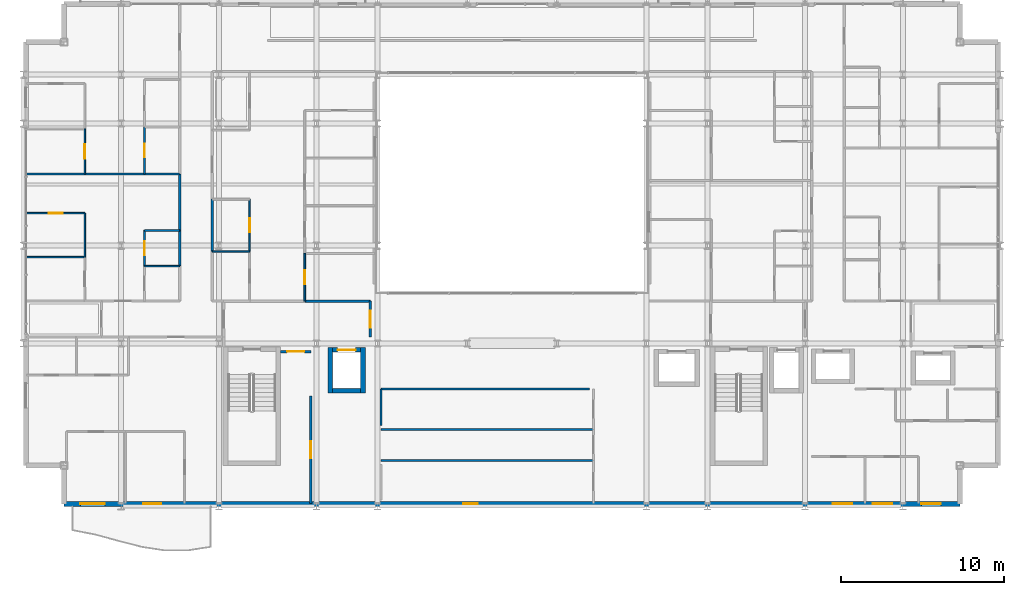
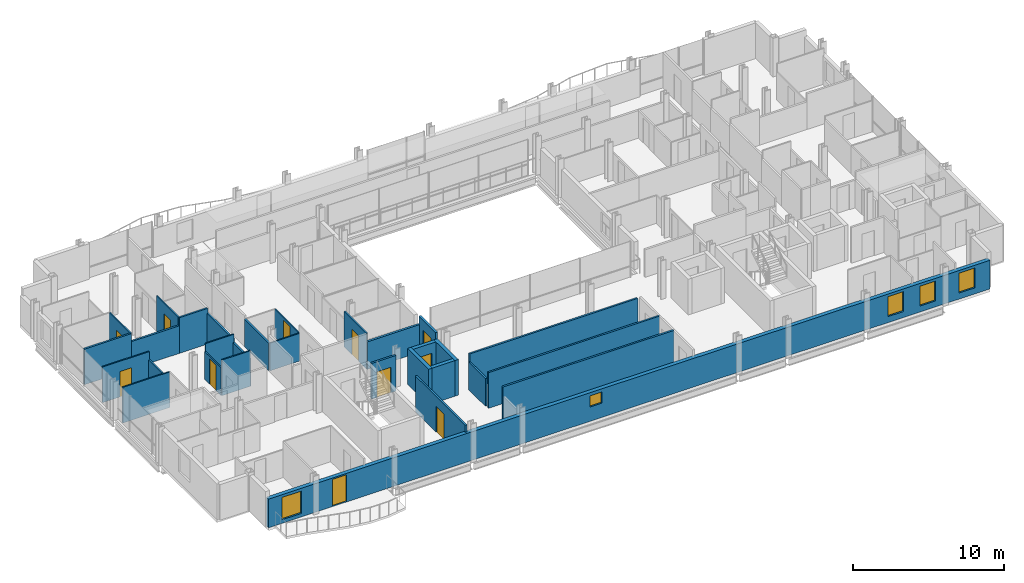
# One storey, part 32 of 40: 30 walls, 11 doors, 5 windows, 16 openings.
"""IFC4 building model written with IfcOpenShell, lengths in metres."""

from ifc_helpers import new_model, si_unit, direction, frame, frame_2d, origin, place, context, subcontext, project, spatial, rectangle, extrude, material, layer, layer_set, type_object, element, fill, save


model = new_model("IFC4")

# Units and contexts
model_context = context("Model", 3, precision=1e-05, world=origin(), true_north=direction((0.0, 1.0)))
body_context = subcontext(model_context, "Body", "Model", "MODEL_VIEW")
ifc_project = project(units=[si_unit("LENGTHUNIT", "METRE"), si_unit("AREAUNIT", "SQUARE_METRE"), si_unit("VOLUMEUNIT", "CUBIC_METRE"), si_unit("PLANEANGLEUNIT", "RADIAN"), si_unit("MASSUNIT", "GRAM", prefix="KILO")], contexts=[model_context])

# Site, building, storey
site_placement = place(None, origin())
site = spatial("IfcSite", under=ifc_project, at=site_placement, CompositionType="ELEMENT")
building_placement = place(site_placement, origin())
building = spatial("IfcBuilding", under=site, at=building_placement, Name="Brevholm Reach", CompositionType="ELEMENT")
storey_placement = place(building_placement, frame((0.0, 0.0, 62.10009765625)))
storey = spatial("IfcBuildingStorey", under=building, at=storey_placement, Name="L17", CompositionType="ELEMENT", Elevation=62.10009765625)

# Walls
ifc_material_1 = material(Name="Concrete C50/60", Category="concrete")
ifc_layer_1 = layer(ifc_material_1, 0.280029296875)
ifc_layer_set_1 = layer_set([ifc_layer_1], Name="Concrete C50/60")
wall_type_1 = type_object("IfcWallType", Name="WAL-COR-280", PredefinedType="SHEAR", material=ifc_layer_set_1)
for number, where, z_axis, x_axis, name in (
    (1, (18.85009765625, 6.9599609375, 0.0), (0.0, 0.0, 1.0), (0.0, 1.0, 0.0), "L17 Lift FFL-1 Shaft Wall W"),
    (2, (20.85009765625, 6.9599609375, 0.0), (0.0, 0.0, 1.0), (0.0, 1.0, 0.0), "L17 Lift FFL-1 Shaft Wall E"),
):
    element("IfcWall", number, at=place(storey_placement, frame(where, z_axis=z_axis, x_axis=x_axis)), inside=storey, type_object=wall_type_1, Name=name, PredefinedType="SHEAR", context=body_context, shape_type="SweptSolid", body=[
        extrude(rectangle(XDim=2.780029296875, YDim=0.280029296875, at=frame_2d((1.39013671875, 0.0))), origin(), (0.0, 0.0, 1.0), 2.869873046875),
    ])
wall_1_placement = place(storey_placement, frame((18.989990234375, 7.10009765625, 0.0), z_axis=(0.0, 0.0, 1.0), x_axis=(1.0, 0.0, 0.0)))
element("IfcWall", 3, at=wall_1_placement, inside=storey, type_object=wall_type_1, Name="L17 Lift FFL-1 Shaft Wall S", PredefinedType="SHEAR", context=body_context, shape_type="SweptSolid", body=[
    extrude(rectangle(XDim=1.719970703125, YDim=0.280029296875, at=frame_2d((0.85986328125, 0.0))), origin(), (0.0, 0.0, 1.0), 2.869873046875),
])

# Wall, opening, door
wall_2_placement = place(storey_placement, frame((18.989990234375, 9.60009765625, 0.0), z_axis=(0.0, 0.0, 1.0), x_axis=(1.0, 0.0, 0.0)))
wall_2 = element("IfcWall", 4, at=wall_2_placement, inside=storey, type_object=wall_type_1, Name="L17 Lift FFL-1 Shaft Wall N", PredefinedType="SHEAR", context=body_context, shape_type="SweptSolid", body=[
    extrude(rectangle(XDim=1.719970703125, YDim=0.280029296875, at=frame_2d((0.85986328125, 0.0))), origin(), (0.0, 0.0, 1.0), 2.869873046875),
])
opening_1_placement = place(wall_2_placement, frame((0.31005859375, 0.0, 0.0)))
opening_1 = element("IfcOpeningElement", 5, at=opening_1_placement, cuts=wall_2, Name="Opening LD-FFL-1", PredefinedType="OPENING", context=body_context, shape_type="SweptSolid", body=[
    extrude(rectangle(XDim=1.10009765625, YDim=2.06005859375, at=frame_2d((0.550048828125, 1.030029296875))), frame((0.0, 0.14990234375, 0.0), z_axis=(0.0, -1.0, 0.0), x_axis=(1.0, 0.0, 0.0)), (0.0, 0.0, 1.0), 0.300048828125),
])
ifc_material_2 = material(Name="Brushed Stainless Steel Fire-Rated Sliding Lift Door", Category="steel")
door_type_1 = type_object("IfcDoorType", Name="DOR-LFT-1100", OperationType="NOTDEFINED", PredefinedType="DOOR", material=ifc_material_2)
door_1_placement = place(opening_1_placement, origin())
door_1 = element("IfcDoor", 6, at=door_1_placement, inside=storey, type_object=door_type_1, Name="L17 Lift FFL-1 Sliding Landing Door", OperationType="SLIDING_TO_LEFT", OverallHeight=2.06005859375, OverallWidth=1.10009765625, PredefinedType="DOOR", context=body_context, shape_type="SweptSolid", body=[
    extrude(rectangle(XDim=1.10009765625, YDim=2.06005859375, at=frame_2d((0.550048828125, 1.030029296875))), frame((0.0, 0.02490234375, 0.0), z_axis=(0.0, -1.0, 0.0), x_axis=(1.0, 0.0, 0.0)), (0.0, 0.0, 1.0), 0.050048828125),
])
fill(opening_1, door_1)

# Wall, openings, door, windows
ifc_material_3 = material(Name="Concrete C40/50", Category="concrete")
ifc_layer_2 = layer(ifc_material_3, 0.300048828125)
ifc_layer_set_2 = layer_set([ifc_layer_2], Name="Concrete C40/50")
wall_type_2 = type_object("IfcWallType", Name="WAL-EXT-300", PredefinedType="STANDARD", material=ifc_layer_set_2)
wall_3_placement = place(storey_placement, frame((2.5, 0.14990234375, 0.0), z_axis=(0.0, 0.0, 1.0), x_axis=(1.0, 0.0, 0.0)))
wall_3 = element("IfcWall", 7, at=wall_3_placement, inside=storey, type_object=wall_type_2, Name="L17 Facade Wall WAL-L17-S", PredefinedType="STANDARD", context=body_context, shape_type="SweptSolid", body=[
    extrude(rectangle(XDim=55.0, YDim=0.300048828125, at=frame_2d((27.5, 0.0))), origin(), (0.0, 0.0, 1.0), 2.305419921875),
])
opening_2_placement = place(wall_3_placement, frame((4.85009765625, 0.0, 0.0)))
opening_2 = element("IfcOpeningElement", 8, at=opening_2_placement, cuts=wall_3, Name="Opening BD-01", PredefinedType="OPENING", context=body_context, shape_type="SweptSolid", body=[
    extrude(rectangle(XDim=1.10009765625, YDim=2.199951171875, at=frame_2d((0.550048828125, 1.10009765625))), frame((0.0, 0.159912109375, 0.0), z_axis=(0.0, -1.0, 0.0), x_axis=(1.0, 0.0, 0.0)), (0.0, 0.0, 1.0), 0.320068359375),
])
opening_3_placement = place(wall_3_placement, frame((1.0, 0.0, 0.285888671875)))
opening_3 = element("IfcOpeningElement", 9, at=opening_3_placement, cuts=wall_3, Name="Opening WN-05", PredefinedType="OPENING", context=body_context, shape_type="SweptSolid", body=[
    extrude(rectangle(XDim=1.5, YDim=1.800048828125, at=frame_2d((0.75, 0.89990234375))), frame((0.0, 0.159912109375, 0.0), z_axis=(0.0, -1.0, 0.0), x_axis=(1.0, 0.0, 0.0)), (0.0, 0.0, 1.0), 0.320068359375),
])
opening_4_placement = place(wall_3_placement, frame((24.5, 0.0, 1.14990234375)))
opening_4 = element("IfcOpeningElement", 10, at=opening_4_placement, cuts=wall_3, Name="Opening WN-09", PredefinedType="OPENING", context=body_context, shape_type="SweptSolid", body=[
    extrude(rectangle(XDim=0.89990234375, YDim=0.89990234375, at=frame_2d((0.449951171875, 0.449951171875))), frame((0.0, 0.159912109375, 0.0), z_axis=(0.0, -1.0, 0.0), x_axis=(1.0, 0.0, 0.0)), (0.0, 0.0, 1.0), 0.320068359375),
])
opening_5_placement = place(wall_3_placement, frame((47.199951171875, 0.0, 0.486083984375)))
opening_5 = element("IfcOpeningElement", 11, at=opening_5_placement, cuts=wall_3, Name="Opening WN-08", PredefinedType="OPENING", context=body_context, shape_type="SweptSolid", body=[
    extrude(rectangle(XDim=1.199951171875, YDim=1.60009765625, at=frame_2d((0.60009765625, 0.800048828125))), frame((0.0, 0.159912109375, 0.0), z_axis=(0.0, -1.0, 0.0), x_axis=(1.0, 0.0, 0.0)), (0.0, 0.0, 1.0), 0.320068359375),
])
opening_6_placement = place(wall_3_placement, frame((52.6298828125, 0.0, 0.486083984375)))
opening_6 = element("IfcOpeningElement", 12, at=opening_6_placement, cuts=wall_3, Name="Opening WN-08", PredefinedType="OPENING", context=body_context, shape_type="SweptSolid", body=[
    extrude(rectangle(XDim=1.199951171875, YDim=1.60009765625, at=frame_2d((0.60009765625, 0.800048828125))), frame((0.0, 0.159912109375, 0.0), z_axis=(0.0, -1.0, 0.0), x_axis=(1.0, 0.0, 0.0)), (0.0, 0.0, 1.0), 0.320068359375),
])
opening_7_placement = place(wall_3_placement, frame((49.638671875, 0.0, 0.485595703125)))
opening_7 = element("IfcOpeningElement", 13, at=opening_7_placement, cuts=wall_3, Name="Opening WN-08", PredefinedType="OPENING", context=body_context, shape_type="SweptSolid", body=[
    extrude(rectangle(XDim=1.199951171875, YDim=1.60009765625, at=frame_2d((0.60009765625, 0.800048828125))), frame((0.0, 0.159912109375, 0.0), z_axis=(0.0, -1.0, 0.0), x_axis=(1.0, 0.0, 0.0)), (0.0, 0.0, 1.0), 0.320068359375),
])
ifc_material_4 = material(Name="Dark Anodised Aluminium and Triple-Glazed Glass", Category="aluminium")
door_type_2 = type_object("IfcDoorType", Name="DOR-BALC-1100", OperationType="NOTDEFINED", PredefinedType="DOOR", material=ifc_material_4)
door_2_placement = place(opening_2_placement, origin())
door_2 = element("IfcDoor", 14, at=door_2_placement, inside=storey, type_object=door_type_2, Name="L17 Exterior Door DOR-L17-BL-SW", OperationType="SINGLE_SWING_LEFT", OverallHeight=2.199951171875, OverallWidth=1.10009765625, PredefinedType="DOOR", context=body_context, shape_type="SweptSolid", body=[
    extrude(rectangle(XDim=1.10009765625, YDim=2.199951171875, at=frame_2d((0.550048828125, 1.10009765625))), frame((0.0, 0.02490234375, 0.0), z_axis=(0.0, -1.0, 0.0), x_axis=(1.0, 0.0, 0.0)), (0.0, 0.0, 1.0), 0.050048828125),
])
fill(opening_2, door_2)
ifc_material_5 = material(Name="Dark Anodised Aluminium and Solar-Control IGU Glass", Category="aluminium")
window_type_1 = type_object("IfcWindowType", Name="WIN-POR-0900", PartitioningType="SINGLE_PANEL", PredefinedType="WINDOW", material=ifc_material_5)
window_1_placement = place(opening_4_placement, origin())
window_1 = element("IfcWindow", 15, at=window_1_placement, inside=storey, type_object=window_type_1, Name="L17 Window WIN-L17-S-POR", OverallHeight=0.89990234375, OverallWidth=0.89990234375, PartitioningType="SINGLE_PANEL", PredefinedType="WINDOW", context=body_context, shape_type="SweptSolid", body=[
    extrude(rectangle(XDim=0.89990234375, YDim=0.89990234375, at=frame_2d((0.449951171875, 0.449951171875))), frame((0.0, 0.030029296875, 0.0), z_axis=(0.0, -1.0, 0.0), x_axis=(1.0, 0.0, 0.0)), (0.0, 0.0, 1.0), 0.06005859375),
])
fill(opening_4, window_1)
ifc_material_6 = material(Name="Dark Anodised Aluminium and Solar-Control IGU Glass", Category="aluminium")
window_type_2 = type_object("IfcWindowType", Name="WIN-RES-1200", PartitioningType="SINGLE_PANEL", PredefinedType="WINDOW", material=ifc_material_6)
window_2_placement = place(opening_5_placement, origin())
window_2 = element("IfcWindow", 16, at=window_2_placement, inside=storey, type_object=window_type_2, Name="L17 Window WIN-L17-S-E1", OverallHeight=1.60009765625, OverallWidth=1.199951171875, PartitioningType="SINGLE_PANEL", PredefinedType="WINDOW", context=body_context, shape_type="SweptSolid", body=[
    extrude(rectangle(XDim=1.199951171875, YDim=1.60009765625, at=frame_2d((0.60009765625, 0.800048828125))), frame((0.0, 0.030029296875, 0.0), z_axis=(0.0, -1.0, 0.0), x_axis=(1.0, 0.0, 0.0)), (0.0, 0.0, 1.0), 0.06005859375),
])
fill(opening_5, window_2)
window_3_placement = place(opening_6_placement, origin())
window_3 = element("IfcWindow", 17, at=window_3_placement, inside=storey, type_object=window_type_2, Name="L17 Window WIN-L17-S-E2", OverallHeight=1.60009765625, OverallWidth=1.199951171875, PartitioningType="SINGLE_PANEL", PredefinedType="WINDOW", context=body_context, shape_type="SweptSolid", body=[
    extrude(rectangle(XDim=1.199951171875, YDim=1.60009765625, at=frame_2d((0.60009765625, 0.800048828125))), frame((0.0, 0.030029296875, 0.0), z_axis=(0.0, -1.0, 0.0), x_axis=(1.0, 0.0, 0.0)), (0.0, 0.0, 1.0), 0.06005859375),
])
fill(opening_6, window_3)
window_4_placement = place(opening_7_placement, origin())
window_4 = element("IfcWindow", 18, at=window_4_placement, inside=storey, type_object=window_type_2, Name="L17 Bedroom Window 013", OverallHeight=1.60009765625, OverallWidth=1.199951171875, PartitioningType="SINGLE_PANEL", PredefinedType="WINDOW", context=body_context, shape_type="SweptSolid", body=[
    extrude(rectangle(XDim=1.199951171875, YDim=1.60009765625, at=frame_2d((0.60009765625, 0.800048828125))), frame((0.0, 0.030029296875, 0.0), z_axis=(0.0, -1.0, 0.0), x_axis=(1.0, 0.0, 0.0)), (0.0, 0.0, 1.0), 0.06005859375),
])
fill(opening_7, window_4)
ifc_material_7 = material(Name="Dark Anodised Aluminium and Solar-Control IGU Glass", Category="aluminium")
window_type_3 = type_object("IfcWindowType", Name="WIN-RES-1500", PartitioningType="SINGLE_PANEL", PredefinedType="WINDOW", material=ifc_material_7)
window_5_placement = place(opening_3_placement, origin())
window_5 = element("IfcWindow", 19, at=window_5_placement, inside=storey, type_object=window_type_3, Name="L17 Window WIN-L17-S-W1", OverallHeight=1.800048828125, OverallWidth=1.5, PartitioningType="SINGLE_PANEL", PredefinedType="WINDOW", context=body_context, shape_type="SweptSolid", body=[
    extrude(rectangle(XDim=1.5, YDim=1.800048828125, at=frame_2d((0.75, 0.89990234375))), frame((0.0, 0.030029296875, 0.0), z_axis=(0.0, -1.0, 0.0), x_axis=(1.0, 0.0, 0.0)), (0.0, 0.0, 1.0), 0.06005859375),
])
fill(opening_3, window_5)

# Walls
ifc_material_8 = material(Name="Moisture-Resistant Acoustic Gypsum Stud Partition 100 mm", Category="gypsum")
ifc_layer_3 = layer(ifc_material_8, 0.10009765625)
ifc_layer_set_3 = layer_set([ifc_layer_3], Name="Moisture-Resistant Acoustic Gypsum Stud Partition 100 mm")
wall_type_3 = type_object("IfcWallType", Name="WAL-PRT-100", PredefinedType="PARTITIONING", material=ifc_layer_set_3)
for number, where, z_axis, x_axis, name in (
    (20, (7.43798828125, 14.75, 0.0), (0.0, 0.0, 1.0), (1.0, 0.0, 0.0), "L17 Internal Partition 084"),
    (21, (7.43798828125, 16.93408203125, 0.0), (0.0, 0.0, 1.0), (1.0, 0.0, 0.0), "L17 Internal Partition 086"),
):
    element("IfcWall", number, at=place(storey_placement, frame(where, z_axis=z_axis, x_axis=x_axis)), inside=storey, type_object=wall_type_3, Name=name, PredefinedType="PARTITIONING", context=body_context, shape_type="SweptSolid", body=[
        extrude(rectangle(XDim=2.157958984375, YDim=0.10009765625, at=frame_2d((1.0791015625, 0.0))), origin(), (0.0, 0.0, 1.0), 2.869873046875),
    ])

# Wall, opening, door
wall_4_placement = place(storey_placement, frame((7.43798828125, 14.75390625, 0.0), z_axis=(0.0, 0.0, 1.0), x_axis=(0.0, 1.0, 0.0)))
wall_4 = element("IfcWall", 22, at=wall_4_placement, inside=storey, type_object=wall_type_3, Name="L17 Internal Partition 087", PredefinedType="PARTITIONING", context=body_context, shape_type="SweptSolid", body=[
    extrude(rectangle(XDim=2.18017578125, YDim=0.10009765625, at=frame_2d((1.090087890625, 0.0))), origin(), (0.0, 0.0, 1.0), 2.224609375),
])
opening_8_placement = place(wall_4_placement, frame((0.64990234375, 0.0, 0.0)))
opening_8 = element("IfcOpeningElement", 23, at=opening_8_placement, cuts=wall_4, Name="Opening ID-01", PredefinedType="OPENING", context=body_context, shape_type="SweptSolid", body=[
    extrude(rectangle(XDim=0.8798828125, YDim=2.0400390625, at=frame_2d((0.43994140625, 1.02001953125))), frame((0.0, 0.06005859375, 0.0), z_axis=(0.0, -1.0, 0.0), x_axis=(1.0, 0.0, 0.0)), (0.0, 0.0, 1.0), 0.1201171875),
])
ifc_material_9 = material(Name="Lacquered Ash Solid-Core Acoustic Internal Door", Category="timber")
door_type_3 = type_object("IfcDoorType", Name="DOR-INT-880", OperationType="NOTDEFINED", PredefinedType="DOOR", material=ifc_material_9)
door_3_placement = place(opening_8_placement, origin())
door_3 = element("IfcDoor", 24, at=door_3_placement, inside=storey, type_object=door_type_3, Name="L17 Internal Door 031", OperationType="SINGLE_SWING_LEFT", OverallHeight=2.0400390625, OverallWidth=0.8798828125, PredefinedType="DOOR", context=body_context, shape_type="SweptSolid", body=[
    extrude(rectangle(XDim=0.8798828125, YDim=2.0400390625, at=frame_2d((0.43994140625, 1.02001953125))), frame((0.0, 0.02490234375, 0.0), z_axis=(0.0, -1.0, 0.0), x_axis=(1.0, 0.0, 0.0)), (0.0, 0.0, 1.0), 0.050048828125),
])
fill(opening_8, door_3)

# Walls
wall_5_placement = place(storey_placement, frame((0.199951171875, 15.300048828125, 0.0), z_axis=(0.0, 0.0, 1.0), x_axis=(1.0, 0.0, 0.0)))
element("IfcWall", 25, at=wall_5_placement, inside=storey, type_object=wall_type_3, Name="L17 Internal Partition 088", PredefinedType="PARTITIONING", context=body_context, shape_type="SweptSolid", body=[
    extrude(rectangle(XDim=3.572021484375, YDim=0.10009765625, at=frame_2d((1.7861328125, 0.0))), origin(), (0.0, 0.0, 1.0), 2.869873046875),
])
wall_6_placement = place(storey_placement, frame((3.77197265625, 15.303955078125, 0.0), z_axis=(0.0, 0.0, 1.0), x_axis=(0.0, 1.0, 0.0)))
element("IfcWall", 26, at=wall_6_placement, inside=storey, type_object=wall_type_3, Name="L17 Internal Partition 090", PredefinedType="PARTITIONING", context=body_context, shape_type="SweptSolid", body=[
    extrude(rectangle(XDim=2.696044921875, YDim=0.10009765625, at=frame_2d((1.34814453125, 0.0))), origin(), (0.0, 0.0, 1.0), 2.224609375),
])

# Wall, opening, door
wall_7_placement = place(storey_placement, frame((0.199951171875, 18.0, 0.0), z_axis=(0.0, 0.0, 1.0), x_axis=(1.0, 0.0, 0.0)))
wall_7 = element("IfcWall", 27, at=wall_7_placement, inside=storey, type_object=wall_type_3, Name="L17 Internal Partition 091", PredefinedType="PARTITIONING", context=body_context, shape_type="SweptSolid", body=[
    extrude(rectangle(XDim=3.572021484375, YDim=0.10009765625, at=frame_2d((1.7861328125, 0.0))), origin(), (0.0, 0.0, 1.0), 2.869873046875),
])
opening_9_placement = place(wall_7_placement, frame((1.345947265625, 0.0, 0.0)))
opening_9 = element("IfcOpeningElement", 28, at=opening_9_placement, cuts=wall_7, Name="Opening ID-01", PredefinedType="OPENING", context=body_context, shape_type="SweptSolid", body=[
    extrude(rectangle(XDim=0.8798828125, YDim=2.0400390625, at=frame_2d((0.43994140625, 1.02001953125))), frame((0.0, 0.06005859375, 0.0), z_axis=(0.0, -1.0, 0.0), x_axis=(1.0, 0.0, 0.0)), (0.0, 0.0, 1.0), 0.1201171875),
])
door_4_placement = place(opening_9_placement, origin())
door_4 = element("IfcDoor", 29, at=door_4_placement, inside=storey, type_object=door_type_3, Name="L17 Internal Door 033", OperationType="SINGLE_SWING_LEFT", OverallHeight=2.0400390625, OverallWidth=0.8798828125, PredefinedType="DOOR", context=body_context, shape_type="SweptSolid", body=[
    extrude(rectangle(XDim=0.8798828125, YDim=2.0400390625, at=frame_2d((0.43994140625, 1.02001953125))), frame((0.0, 0.02490234375, 0.0), z_axis=(0.0, -1.0, 0.0), x_axis=(1.0, 0.0, 0.0)), (0.0, 0.0, 1.0), 0.050048828125),
])
fill(opening_9, door_4)

wall_8_placement = place(storey_placement, frame((7.43798828125, 20.404052734375, 0.0), z_axis=(0.0, 0.0, 1.0), x_axis=(0.0, 1.0, 0.0)))
wall_8 = element("IfcWall", 30, at=wall_8_placement, inside=storey, type_object=wall_type_3, Name="L17 Internal Partition 096", PredefinedType="PARTITIONING", context=body_context, shape_type="SweptSolid", body=[
    extrude(rectangle(XDim=2.884033203125, YDim=0.10009765625, at=frame_2d((1.44189453125, 0.0))), origin(), (0.0, 0.0, 1.0), 2.869873046875),
])
opening_10_placement = place(wall_8_placement, frame((1.031982421875, 0.0, 0.0)))
opening_10 = element("IfcOpeningElement", 31, at=opening_10_placement, cuts=wall_8, Name="Opening ID-03", PredefinedType="OPENING", context=body_context, shape_type="SweptSolid", body=[
    extrude(rectangle(XDim=0.820068359375, YDim=2.02001953125, at=frame_2d((0.41015625, 1.010009765625))), frame((0.0, 0.06005859375, 0.0), z_axis=(0.0, -1.0, 0.0), x_axis=(1.0, 0.0, 0.0)), (0.0, 0.0, 1.0), 0.1201171875),
])
ifc_material_10 = material(Name="Moisture-Resistant Painted Timber Internal Bathroom Door", Category="wood")
door_type_4 = type_object("IfcDoorType", Name="DOR-BATH-820", OperationType="NOTDEFINED", PredefinedType="DOOR", material=ifc_material_10)
door_5_placement = place(opening_10_placement, origin())
door_5 = element("IfcDoor", 32, at=door_5_placement, inside=storey, type_object=door_type_4, Name="L17 Internal Door 034", OperationType="SINGLE_SWING_RIGHT", OverallHeight=2.02001953125, OverallWidth=0.820068359375, PredefinedType="DOOR", context=body_context, shape_type="SweptSolid", body=[
    extrude(rectangle(XDim=0.820068359375, YDim=2.02001953125, at=frame_2d((0.41015625, 1.010009765625))), frame((0.0, 0.02490234375, 0.0), z_axis=(0.0, -1.0, 0.0), x_axis=(1.0, 0.0, 0.0)), (0.0, 0.0, 1.0), 0.050048828125),
])
fill(opening_10, door_5)

wall_9_placement = place(storey_placement, frame((3.77197265625, 20.404052734375, 0.0), z_axis=(0.0, 0.0, 1.0), x_axis=(0.0, 1.0, 0.0)))
wall_9 = element("IfcWall", 33, at=wall_9_placement, inside=storey, type_object=wall_type_3, Name="L17 Internal Partition 100", PredefinedType="PARTITIONING", context=body_context, shape_type="SweptSolid", body=[
    extrude(rectangle(XDim=2.77099609375, YDim=0.10009765625, at=frame_2d((1.385498046875, 0.0))), origin(), (0.0, 0.0, 1.0), 2.869873046875),
])
opening_11_placement = place(wall_9_placement, frame((0.945556640625, 0.0, 0.0)))
opening_11 = element("IfcOpeningElement", 34, at=opening_11_placement, cuts=wall_9, Name="Opening ID-01", PredefinedType="OPENING", context=body_context, shape_type="SweptSolid", body=[
    extrude(rectangle(XDim=0.8798828125, YDim=2.0400390625, at=frame_2d((0.43994140625, 1.02001953125))), frame((0.0, 0.06005859375, 0.0), z_axis=(0.0, -1.0, 0.0), x_axis=(1.0, 0.0, 0.0)), (0.0, 0.0, 1.0), 0.1201171875),
])
door_6_placement = place(opening_11_placement, origin())
door_6 = element("IfcDoor", 35, at=door_6_placement, inside=storey, type_object=door_type_3, Name="L17 Internal Door 036", OperationType="SINGLE_SWING_RIGHT", OverallHeight=2.0400390625, OverallWidth=0.8798828125, PredefinedType="DOOR", context=body_context, shape_type="SweptSolid", body=[
    extrude(rectangle(XDim=0.8798828125, YDim=2.0400390625, at=frame_2d((0.43994140625, 1.02001953125))), frame((0.0, 0.02490234375, 0.0), z_axis=(0.0, -1.0, 0.0), x_axis=(1.0, 0.0, 0.0)), (0.0, 0.0, 1.0), 0.050048828125),
])
fill(opening_11, door_6)

# Wall
wall_10_placement = place(storey_placement, frame((11.60400390625, 15.64990234375, 0.0), z_axis=(0.0, 0.0, 1.0), x_axis=(1.0, 0.0, 0.0)))
element("IfcWall", 36, at=wall_10_placement, inside=storey, type_object=wall_type_3, Name="L17 Internal Partition 103", PredefinedType="PARTITIONING", context=body_context, shape_type="SweptSolid", body=[
    extrude(rectangle(XDim=2.284912109375, YDim=0.10009765625, at=frame_2d((1.142578125, 0.0))), origin(), (0.0, 0.0, 1.0), 2.224609375),
])

# Wall, opening, door
wall_11_placement = place(storey_placement, frame((13.888916015625, 15.654052734375, 0.0), z_axis=(0.0, 0.0, 1.0), x_axis=(0.0, 1.0, 0.0)))
wall_11 = element("IfcWall", 37, at=wall_11_placement, inside=storey, type_object=wall_type_3, Name="L17 Internal Partition 105", PredefinedType="PARTITIONING", context=body_context, shape_type="SweptSolid", body=[
    extrude(rectangle(XDim=3.196044921875, YDim=0.10009765625, at=frame_2d((1.59814453125, 0.0))), origin(), (0.0, 0.0, 1.0), 2.224609375),
])
opening_12_placement = place(wall_11_placement, frame((1.157958984375, 0.0, 0.0)))
opening_12 = element("IfcOpeningElement", 38, at=opening_12_placement, cuts=wall_11, Name="Opening ID-01", PredefinedType="OPENING", context=body_context, shape_type="SweptSolid", body=[
    extrude(rectangle(XDim=0.8798828125, YDim=2.0400390625, at=frame_2d((0.43994140625, 1.02001953125))), frame((0.0, 0.06005859375, 0.0), z_axis=(0.0, -1.0, 0.0), x_axis=(1.0, 0.0, 0.0)), (0.0, 0.0, 1.0), 0.1201171875),
])
door_7_placement = place(opening_12_placement, origin())
door_7 = element("IfcDoor", 39, at=door_7_placement, inside=storey, type_object=door_type_3, Name="L17 Internal Door 039", OperationType="SINGLE_SWING_LEFT", OverallHeight=2.0400390625, OverallWidth=0.8798828125, PredefinedType="DOOR", context=body_context, shape_type="SweptSolid", body=[
    extrude(rectangle(XDim=0.8798828125, YDim=2.0400390625, at=frame_2d((0.43994140625, 1.02001953125))), frame((0.0, 0.02490234375, 0.0), z_axis=(0.0, -1.0, 0.0), x_axis=(1.0, 0.0, 0.0)), (0.0, 0.0, 1.0), 0.050048828125),
])
fill(opening_12, door_7)

wall_12_placement = place(storey_placement, frame((17.27099609375, 12.60400390625, 0.0), z_axis=(0.0, 0.0, 1.0), x_axis=(0.0, 1.0, 0.0)))
wall_12 = element("IfcWall", 40, at=wall_12_placement, inside=storey, type_object=wall_type_3, Name="L17 Internal Partition 110", PredefinedType="PARTITIONING", context=body_context, shape_type="SweptSolid", body=[
    extrude(rectangle(XDim=2.9208984375, YDim=0.10009765625, at=frame_2d((1.46044921875, 0.0))), origin(), (0.0, 0.0, 1.0), 2.869873046875),
])
opening_13_placement = place(wall_12_placement, frame((1.0205078125, 0.0, 0.0)))
opening_13 = element("IfcOpeningElement", 41, at=opening_13_placement, cuts=wall_12, Name="Opening ID-01", PredefinedType="OPENING", context=body_context, shape_type="SweptSolid", body=[
    extrude(rectangle(XDim=0.8798828125, YDim=2.0400390625, at=frame_2d((0.43994140625, 1.02001953125))), frame((0.0, 0.06005859375, 0.0), z_axis=(0.0, -1.0, 0.0), x_axis=(1.0, 0.0, 0.0)), (0.0, 0.0, 1.0), 0.1201171875),
])
door_8_placement = place(opening_13_placement, origin())
door_8 = element("IfcDoor", 42, at=door_8_placement, inside=storey, type_object=door_type_3, Name="L17 Internal Door 041", OperationType="SINGLE_SWING_LEFT", OverallHeight=2.0400390625, OverallWidth=0.8798828125, PredefinedType="DOOR", context=body_context, shape_type="SweptSolid", body=[
    extrude(rectangle(XDim=0.8798828125, YDim=2.0400390625, at=frame_2d((0.43994140625, 1.02001953125))), frame((0.0, 0.02490234375, 0.0), z_axis=(0.0, -1.0, 0.0), x_axis=(1.0, 0.0, 0.0)), (0.0, 0.0, 1.0), 0.050048828125),
])
fill(opening_13, door_8)

# Walls
ifc_material_11 = material(Name="Twin-Stud Acoustic Fire-Rated Gypsum Partition 140 mm", Category="gypsum")
ifc_layer_4 = layer(ifc_material_11, 0.139892578125)
ifc_layer_set_4 = layer_set([ifc_layer_4], Name="Twin-Stud Acoustic Fire-Rated Gypsum Partition 140 mm")
wall_type_4 = type_object("IfcWallType", Name="WAL-PRT-140", PredefinedType="PARTITIONING", material=ifc_layer_set_4)
for number, where, z_axis, x_axis, name in (
    (43, (21.949951171875, 2.81689453125, 0.0), (0.0, 0.0, 1.0), (1.0, 0.0, 0.0), "L17 Internal Partition 004"),
    (44, (21.949951171875, 4.717041015625, 0.0), (0.0, 0.0, 1.0), (1.0, 0.0, 0.0), "L17 Internal Partition 005"),
):
    element("IfcWall", number, at=place(storey_placement, frame(where, z_axis=z_axis, x_axis=x_axis)), inside=storey, type_object=wall_type_4, Name=name, PredefinedType="PARTITIONING", context=body_context, shape_type="SweptSolid", body=[
        extrude(rectangle(XDim=13.046142578125, YDim=0.139892578125, at=frame_2d((6.52294921875, 0.0))), origin(), (0.0, 0.0, 1.0), 2.869873046875),
    ])

# Wall, opening, door
wall_13_placement = place(storey_placement, frame((17.64990234375, 0.179931640625, 0.0), z_axis=(0.0, 0.0, 1.0), x_axis=(0.0, 1.0, 0.0)))
wall_13 = element("IfcWall", 45, at=wall_13_placement, inside=storey, type_object=wall_type_4, Name="L17 Internal Partition 006", PredefinedType="PARTITIONING", context=body_context, shape_type="SweptSolid", body=[
    extrude(rectangle(XDim=6.581298828125, YDim=0.139892578125, at=frame_2d((3.29052734375, 0.0))), origin(), (0.0, 0.0, 1.0), 2.869873046875),
])
opening_14_placement = place(wall_13_placement, frame((2.765625, 0.0, 0.0)))
opening_14 = element("IfcOpeningElement", 46, at=opening_14_placement, cuts=wall_13, Name="Opening FD-01", PredefinedType="OPENING", context=body_context, shape_type="SweptSolid", body=[
    extrude(rectangle(XDim=1.050048828125, YDim=2.06005859375, at=frame_2d((0.52490234375, 1.030029296875))), frame((0.0, 0.079833984375, 0.0), z_axis=(0.0, -1.0, 0.0), x_axis=(1.0, 0.0, 0.0)), (0.0, 0.0, 1.0), 0.159912109375),
])
ifc_material_12 = material(Name="Hardwood-Lipped Steel-Core Fire and Smoke Door", Category="steel")
door_type_5 = type_object("IfcDoorType", Name="DOR-INT-FD60S", OperationType="NOTDEFINED", PredefinedType="DOOR", material=ifc_material_12)
door_9_placement = place(opening_14_placement, origin())
door_9 = element("IfcDoor", 47, at=door_9_placement, inside=storey, type_object=door_type_5, Name="L17 Internal Door 004", OperationType="SINGLE_SWING_RIGHT", OverallHeight=2.06005859375, OverallWidth=1.050048828125, PredefinedType="DOOR", context=body_context, shape_type="SweptSolid", body=[
    extrude(rectangle(XDim=1.050048828125, YDim=2.06005859375, at=frame_2d((0.52490234375, 1.030029296875))), frame((0.0, 0.02490234375, 0.0), z_axis=(0.0, -1.0, 0.0), x_axis=(1.0, 0.0, 0.0)), (0.0, 0.0, 1.0), 0.050048828125),
])
fill(opening_14, door_9)

# Walls
wall_14_placement = place(storey_placement, frame((9.60009765625, 14.74267578125, 0.0), z_axis=(0.0, 0.0, 1.0), x_axis=(0.0, 1.0, 0.0)))
element("IfcWall", 48, at=wall_14_placement, inside=storey, type_object=wall_type_4, Name="L17 Internal Partition 033", PredefinedType="PARTITIONING", context=body_context, shape_type="SweptSolid", body=[
    extrude(rectangle(XDim=2.20263671875, YDim=0.139892578125, at=frame_2d((1.101318359375, 0.0))), origin(), (0.0, 0.0, 1.0), 2.224609375),
])
wall_15_placement = place(storey_placement, frame((9.60009765625, 16.9267578125, 0.0), z_axis=(0.0, 0.0, 1.0), x_axis=(0.0, 1.0, 0.0)))
element("IfcWall", 49, at=wall_15_placement, inside=storey, type_object=wall_type_4, Name="L17 Internal Partition 034", PredefinedType="PARTITIONING", context=body_context, shape_type="SweptSolid", body=[
    extrude(rectangle(XDim=3.484619140625, YDim=0.139892578125, at=frame_2d((1.7421875, 0.0))), origin(), (0.0, 0.0, 1.0), 2.489990234375),
])
wall_16_placement = place(storey_placement, frame((11.60009765625, 15.642578125, 0.0), z_axis=(0.0, 0.0, 1.0), x_axis=(0.0, 1.0, 0.0)))
element("IfcWall", 50, at=wall_16_placement, inside=storey, type_object=wall_type_4, Name="L17 Internal Partition 039", PredefinedType="PARTITIONING", context=body_context, shape_type="SweptSolid", body=[
    extrude(rectangle(XDim=3.21875, YDim=0.139892578125, at=frame_2d((1.609375, 0.0))), origin(), (0.0, 0.0, 1.0), 2.224609375),
])
wall_17_placement = place(storey_placement, frame((7.4267578125, 20.39990234375, 0.0), z_axis=(0.0, 0.0, 1.0), x_axis=(1.0, 0.0, 0.0)))
element("IfcWall", 51, at=wall_17_placement, inside=storey, type_object=wall_type_4, Name="L17 Internal Partition 092", PredefinedType="PARTITIONING", context=body_context, shape_type="SweptSolid", body=[
    extrude(rectangle(XDim=2.169189453125, YDim=0.139892578125, at=frame_2d((1.08447265625, 0.0))), origin(), (0.0, 0.0, 1.0), 2.869873046875),
])
wall_18_placement = place(storey_placement, frame((0.199951171875, 20.39990234375, 0.0), z_axis=(0.0, 0.0, 1.0), x_axis=(1.0, 0.0, 0.0)))
element("IfcWall", 52, at=wall_18_placement, inside=storey, type_object=wall_type_4, Name="L17 Internal Partition 093", PredefinedType="PARTITIONING", context=body_context, shape_type="SweptSolid", body=[
    extrude(rectangle(XDim=3.583251953125, YDim=0.139892578125, at=frame_2d((1.79150390625, 0.0))), origin(), (0.0, 0.0, 1.0), 2.869873046875),
])
wall_19_placement = place(storey_placement, frame((3.7646484375, 20.39990234375, 0.0), z_axis=(0.0, 0.0, 1.0), x_axis=(1.0, 0.0, 0.0)))
element("IfcWall", 53, at=wall_19_placement, inside=storey, type_object=wall_type_4, Name="L17 Internal Partition 094", PredefinedType="PARTITIONING", context=body_context, shape_type="SweptSolid", body=[
    extrude(rectangle(XDim=3.6806640625, YDim=0.139892578125, at=frame_2d((1.84033203125, 0.0))), origin(), (0.0, 0.0, 1.0), 2.224609375),
])
wall_20_placement = place(storey_placement, frame((21.949951171875, 7.199951171875, 0.0), z_axis=(0.0, 0.0, 1.0), x_axis=(1.0, 0.0, 0.0)))
element("IfcWall", 54, at=wall_20_placement, inside=storey, type_object=wall_type_4, Name="L17 Internal Partition 149", PredefinedType="PARTITIONING", context=body_context, shape_type="SweptSolid", body=[
    extrude(rectangle(XDim=12.81005859375, YDim=0.139892578125, at=frame_2d((6.405029296875, 0.0))), origin(), (0.0, 0.0, 1.0), 2.869873046875),
])
wall_21_placement = place(storey_placement, frame((21.949951171875, 4.95703125, 0.0), z_axis=(0.0, 0.0, 1.0), x_axis=(0.0, 1.0, 0.0)))
element("IfcWall", 55, at=wall_21_placement, inside=storey, type_object=wall_type_4, Name="L17 Internal Partition 150", PredefinedType="PARTITIONING", context=body_context, shape_type="SweptSolid", body=[
    extrude(rectangle(XDim=2.242919921875, YDim=0.139892578125, at=frame_2d((1.12158203125, 0.0))), origin(), (0.0, 0.0, 1.0), 2.224609375),
])

# Wall, opening, door
ifc_material_13 = material(Name="Twin-Frame Fire-Rated Gypsum Board and Mineral Wool 160 mm", Category="gypsum")
ifc_layer_5 = layer(ifc_material_13, 0.159912109375)
ifc_layer_set_5 = layer_set([ifc_layer_5], Name="Twin-Frame Fire-Rated Gypsum Board and Mineral Wool 160 mm")
wall_type_5 = type_object("IfcWallType", Name="WAL-PRT-160", PredefinedType="PARTITIONING", material=ifc_layer_set_5)
wall_22_placement = place(storey_placement, frame((15.800048828125, 9.5, 0.0), z_axis=(0.0, 0.0, 1.0), x_axis=(1.0, 0.0, 0.0)))
wall_22 = element("IfcWall", 56, at=wall_22_placement, inside=storey, type_object=wall_type_5, Name="L17 Internal Partition 007", PredefinedType="PARTITIONING", context=body_context, shape_type="SweptSolid", body=[
    extrude(rectangle(XDim=1.849853515625, YDim=0.159912109375, at=frame_2d((0.9248046875, 0.0))), origin(), (0.0, 0.0, 1.0), 2.869873046875),
])
opening_15_placement = place(wall_22_placement, frame((0.39990234375, 0.0, 0.0)))
opening_15 = element("IfcOpeningElement", 57, at=opening_15_placement, cuts=wall_22, Name="Opening FD-01", PredefinedType="OPENING", context=body_context, shape_type="SweptSolid", body=[
    extrude(rectangle(XDim=1.050048828125, YDim=2.06005859375, at=frame_2d((0.52490234375, 1.030029296875))), frame((0.0, 0.08984375, 0.0), z_axis=(0.0, -1.0, 0.0), x_axis=(1.0, 0.0, 0.0)), (0.0, 0.0, 1.0), 0.179931640625),
])
door_10_placement = place(opening_15_placement, origin())
door_10 = element("IfcDoor", 58, at=door_10_placement, inside=storey, type_object=door_type_5, Name="L17 Internal Door 005", OperationType="SINGLE_SWING_LEFT", OverallHeight=2.06005859375, OverallWidth=1.050048828125, PredefinedType="DOOR", context=body_context, shape_type="SweptSolid", body=[
    extrude(rectangle(XDim=1.050048828125, YDim=2.06005859375, at=frame_2d((0.52490234375, 1.030029296875))), frame((0.0, 0.02490234375, 0.0), z_axis=(0.0, -1.0, 0.0), x_axis=(1.0, 0.0, 0.0)), (0.0, 0.0, 1.0), 0.050048828125),
])
fill(opening_15, door_10)

wall_23_placement = place(storey_placement, frame((21.300048828125, 10.388671875, 0.0), z_axis=(0.0, 0.0, 1.0), x_axis=(0.0, 1.0, 0.0)))
wall_23 = element("IfcWall", 59, at=wall_23_placement, inside=storey, type_object=wall_type_5, Name="L17 Internal Partition 014", PredefinedType="PARTITIONING", context=body_context, shape_type="SweptSolid", body=[
    extrude(rectangle(XDim=2.21142578125, YDim=0.159912109375, at=frame_2d((1.105712890625, 0.0))), origin(), (0.0, 0.0, 1.0), 2.869873046875),
])
opening_16_placement = place(wall_23_placement, frame((0.58056640625, 0.0, 0.0)))
opening_16 = element("IfcOpeningElement", 60, at=opening_16_placement, cuts=wall_23, Name="Opening FD-01", PredefinedType="OPENING", context=body_context, shape_type="SweptSolid", body=[
    extrude(rectangle(XDim=1.050048828125, YDim=2.06005859375, at=frame_2d((0.52490234375, 1.030029296875))), frame((0.0, 0.08984375, 0.0), z_axis=(0.0, -1.0, 0.0), x_axis=(1.0, 0.0, 0.0)), (0.0, 0.0, 1.0), 0.179931640625),
])
door_11_placement = place(opening_16_placement, origin())
door_11 = element("IfcDoor", 61, at=door_11_placement, inside=storey, type_object=door_type_5, Name="L17 Internal Door 010", OperationType="SINGLE_SWING_RIGHT", OverallHeight=2.06005859375, OverallWidth=1.050048828125, PredefinedType="DOOR", context=body_context, shape_type="SweptSolid", body=[
    extrude(rectangle(XDim=1.050048828125, YDim=2.06005859375, at=frame_2d((0.52490234375, 1.030029296875))), frame((0.0, 0.02490234375, 0.0), z_axis=(0.0, -1.0, 0.0), x_axis=(1.0, 0.0, 0.0)), (0.0, 0.0, 1.0), 0.050048828125),
])
fill(opening_16, door_11)

# Wall
wall_24_placement = place(storey_placement, frame((17.259765625, 12.60009765625, 0.0), z_axis=(0.0, 0.0, 1.0), x_axis=(1.0, 0.0, 0.0)))
element("IfcWall", 62, at=wall_24_placement, inside=storey, type_object=wall_type_5, Name="L17 Internal Partition 017", PredefinedType="PARTITIONING", context=body_context, shape_type="SweptSolid", body=[
    extrude(rectangle(XDim=4.040283203125, YDim=0.159912109375, at=frame_2d((2.02001953125, 0.0))), origin(), (0.0, 0.0, 1.0), 2.224609375),
])

save(model, "model.ifc")
